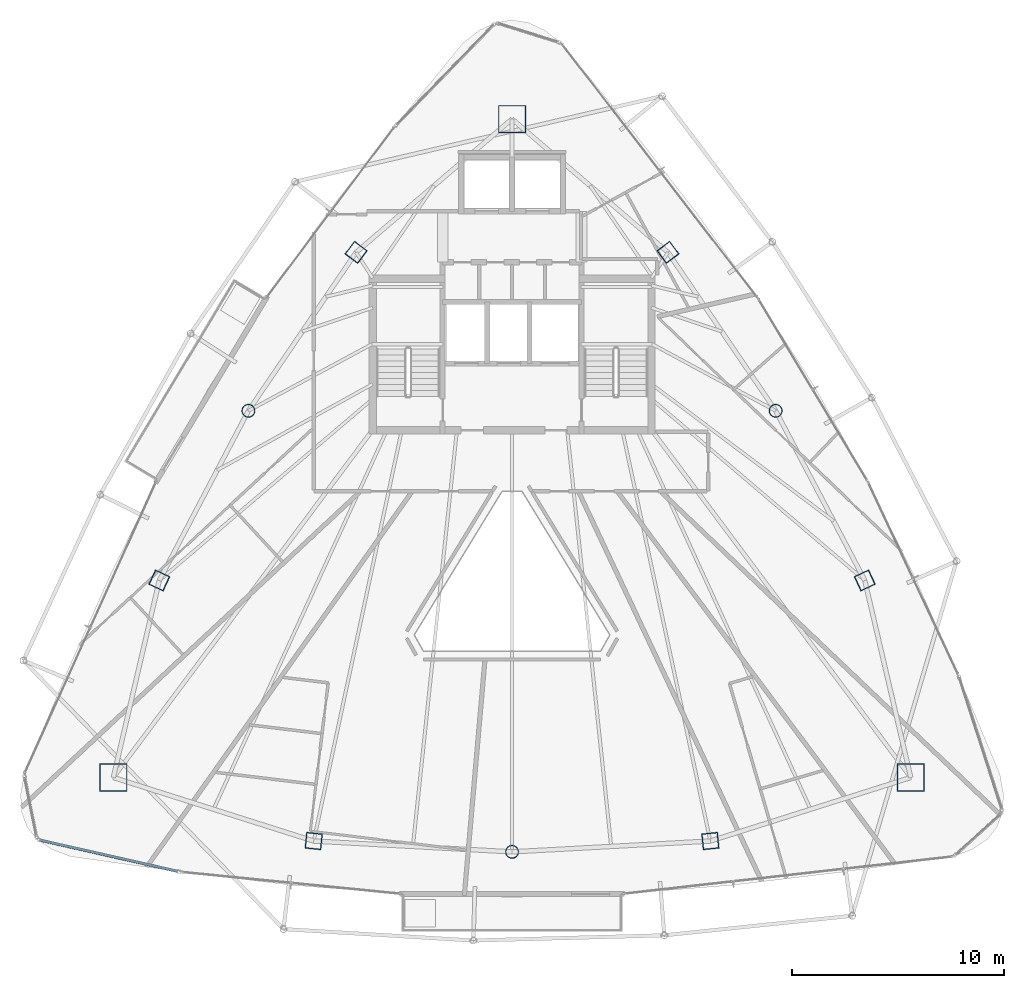
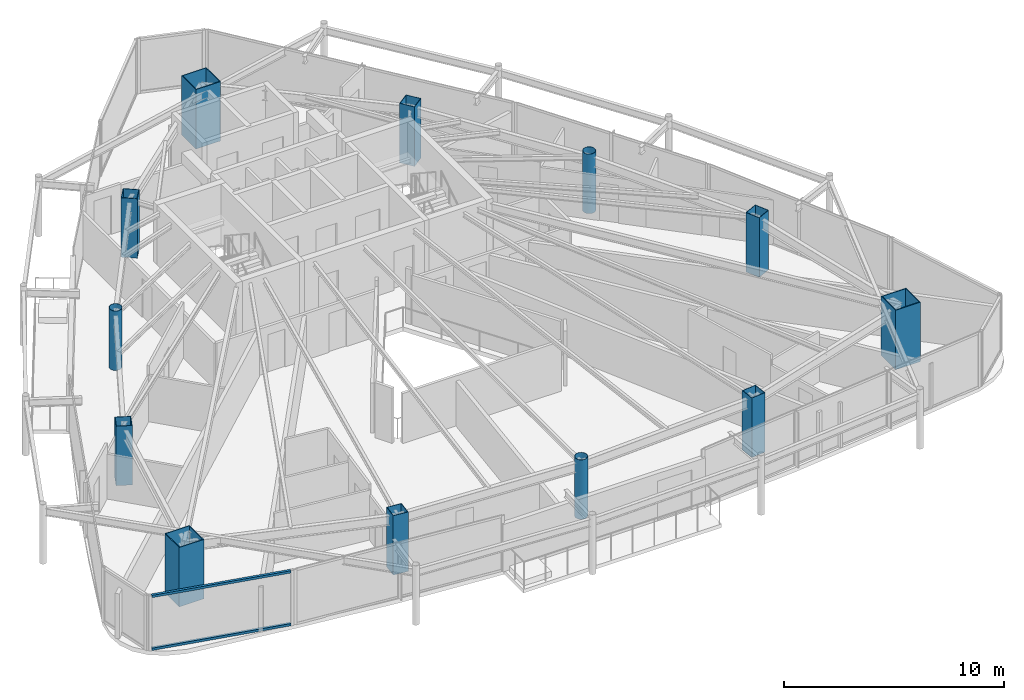
# One storey, part 1 of 32: 12 columns, 2 members, 1 element without a shape of its own.
"""IFC4 building model written with IfcOpenShell, lengths in metres."""

from ifc_helpers import new_model, si_unit, direction, frame, origin, origin_2d, place, context, subcontext, project, spatial, hollow_rectangle, hollow_circle, extrude, material, layer, layer_set, material_profile, profile_set, type_object, element, aggregate, save


model = new_model("IFC4")

# Units and contexts
model_context = context("Model", 3, precision=1e-05, world=origin(), true_north=direction((0.0, 1.0)))
body_context = subcontext(model_context, "Body", "Model", "MODEL_VIEW")
ifc_project = project(units=[si_unit("LENGTHUNIT", "METRE"), si_unit("AREAUNIT", "SQUARE_METRE"), si_unit("VOLUMEUNIT", "CUBIC_METRE"), si_unit("PLANEANGLEUNIT", "RADIAN"), si_unit("MASSUNIT", "GRAM", prefix="KILO")], contexts=[model_context])

# Site, building, storey
site_placement = place(None, origin())
site = spatial("IfcSite", under=ifc_project, at=site_placement, CompositionType="ELEMENT")
building_placement = place(site_placement, origin())
building = spatial("IfcBuilding", under=site, at=building_placement, Name="Orvanel Arch Residences", CompositionType="ELEMENT")
storey_placement = place(building_placement, frame((0.0, 0.0, 216.199951171875)))
storey = spatial("IfcBuildingStorey", under=building, at=storey_placement, Name="L61", CompositionType="ELEMENT", Elevation=216.199951171875)

# Columns
ifc_material_1 = material(Name="Structural steel AS/NZS 1163 C350L0 (Grade 350)", Category="steel")
ifc_material_profile_1 = material_profile(ifc_material_1, hollow_circle(Radius=0.304931640625, WallThickness=0.01611328125, at=origin_2d()), Name="CHS610x16")
ifc_profile_set_1 = profile_set([ifc_material_profile_1], Name="Structural steel AS/NZS 1163 C350L0 (Grade 350)")
column_type_1 = type_object("IfcColumnType", Name="CC-610", PredefinedType="COLUMN", material=ifc_profile_set_1)
for number, where, z_axis, x_axis, name in (
    (1, (20.569091796875, 27.64111328125, 0.0), (0.0, 0.0, 1.0), (1.0, 0.0, 0.0), "L61 High-Rise Tube Column 02"),
    (2, (33.0, 6.843994140625, 0.0), (0.0, 0.0, 1.0), (1.0, 0.0, 0.0), "L61 High-Rise Tube Column 05"),
    (3, (45.430908203125, 27.64111328125, 0.0), (0.0, 0.0, 1.0), (1.0, 0.0, 0.0), "L61 High-Rise Tube Column 08"),
):
    element("IfcColumn", number, at=place(storey_placement, frame(where, z_axis=z_axis, x_axis=x_axis)), inside=storey, type_object=column_type_1, Name=name, PredefinedType="COLUMN", context=body_context, shape_type="SweptSolid", body=[
        extrude(hollow_circle(Radius=0.304931640625, WallThickness=0.01611328125, at=origin_2d()), origin(), (0.0, 0.0, 1.0), 3.300048828125),
    ])
ifc_material_2 = material(Name="Structural steel AS/NZS 3678 Grade 450", Category="steel")
ifc_material_profile_2 = material_profile(ifc_material_2, hollow_rectangle(XDim=1.300048828125, YDim=1.300048828125, WallThickness=0.0400390625, at=origin_2d()), Name="BOX1300x1300x40")
ifc_profile_set_2 = profile_set([ifc_material_profile_2], Name="Structural steel AS/NZS 3678 Grade 450")
column_type_2 = type_object("IfcColumnType", Name="MC-1300", PredefinedType="COLUMN", material=ifc_profile_set_2)
for number, where, z_axis, x_axis, name in (
    (4, (33.0, 41.39794921875, 0.0), (0.0, 0.0, 1.0), (1.0, 0.0, 0.0), "L61 Corner Mega-Column 1"),
    (5, (14.198974609375, 10.35107421875, 0.0), (0.0, 0.0, 1.0), (1.0, 0.0, 0.0), "L61 Corner Mega-Column 2"),
    (6, (51.801025390625, 10.35107421875, 0.0), (0.0, 0.0, 1.0), (1.0, 0.0, 0.0), "L61 Corner Mega-Column 3"),
):
    element("IfcColumn", number, at=place(storey_placement, frame(where, z_axis=z_axis, x_axis=x_axis)), inside=storey, type_object=column_type_2, Name=name, PredefinedType="COLUMN", context=body_context, shape_type="SweptSolid", body=[
        extrude(hollow_rectangle(XDim=1.300048828125, YDim=1.300048828125, WallThickness=0.0400390625, at=origin_2d()), origin(), (0.0, 0.0, 1.0), 3.300048828125),
    ])
ifc_material_3 = material(Name="Structural steel AS/NZS 3678 Grade 350", Category="steel")
ifc_material_profile_3 = material_profile(ifc_material_3, hollow_rectangle(XDim=0.75, YDim=0.75, WallThickness=0.02490234375, at=origin_2d()), Name="BOX750x750x25")
ifc_profile_set_3 = profile_set([ifc_material_profile_3], Name="Structural steel AS/NZS 3678 Grade 350")
column_type_3 = type_object("IfcColumnType", Name="TC-750", PredefinedType="COLUMN", material=ifc_profile_set_3)
for number, where, z_axis, x_axis, name in (
    (7, (25.64794921875, 35.113037109375, 0.0), (0.0, 0.0, 1.0), (0.600420225326, 0.799684658487, 0.0), "L61 High-Rise Tube Column 01"),
    (8, (16.366943359375, 19.64208984375, 0.0), (0.0, 0.0, 1.0), (0.422618261741, 0.906307787037, 0.0), "L61 High-Rise Tube Column 03"),
    (9, (23.64892578125, 7.35498046875, 0.0), (0.0, 0.0, 1.0), (-0.994880708829, 0.101056297183, 0.0), "L61 High-Rise Tube Column 04"),
    (10, (42.35107421875, 7.35498046875, 0.0), (0.0, 0.0, 1.0), (0.994880708829, 0.101056297183, 0.0), "L61 High-Rise Tube Column 06"),
    (11, (49.633056640625, 19.64208984375, 0.0), (0.0, 0.0, 1.0), (-0.422618261741, 0.906307787037, 0.0), "L61 High-Rise Tube Column 07"),
    (12, (40.35205078125, 35.113037109375, 0.0), (0.0, 0.0, 1.0), (-0.600420225326, 0.799684658487, 0.0), "L61 High-Rise Tube Column 09"),
):
    element("IfcColumn", number, at=place(storey_placement, frame(where, z_axis=z_axis, x_axis=x_axis)), inside=storey, type_object=column_type_3, Name=name, PredefinedType="COLUMN", context=body_context, shape_type="SweptSolid", body=[
        extrude(hollow_rectangle(XDim=0.75, YDim=0.75, WallThickness=0.02490234375, at=origin_2d()), origin(), (0.0, 0.0, 1.0), 3.300048828125),
    ])

# Curtain wall, members
ifc_material_4 = material(Name="Bronze-anodised aluminium AA6063-T6", Category="aluminium")
ifc_layer = layer(ifc_material_4, 0.18994140625)
ifc_layer_set = layer_set([ifc_layer], Name="Bronze-anodised aluminium AA6063-T6")
curtain_wall_type = type_object("IfcCurtainWallType", Name="CW5-CRN-SYS", PredefinedType="NOTDEFINED", material=ifc_layer_set)
curtain_wall_placement = place(storey_placement, origin())
curtain_wall = element("IfcCurtainWall", 13, at=curtain_wall_placement, inside=storey, type_object=curtain_wall_type, Name="L61 CW5-CRN-SYS Unitised Curtain Wall", PredefinedType="NOTDEFINED")
ifc_material_profile_4 = material_profile(ifc_material_4, hollow_rectangle(XDim=0.1298828125, YDim=0.1298828125, WallThickness=0.00439453125, at=origin_2d()), Name="ALU130x130x4.5")
ifc_profile_set_4 = profile_set([ifc_material_profile_4], Name="Bronze-anodised aluminium AA6063-T6")
member_type = type_object("IfcMemberType", Name="TRN-130x130", PredefinedType="USERDEFINED", material=ifc_profile_set_4)
member_1_placement = place(storey_placement, frame((10.764404296875, 7.393798828125, 0.06494140625), z_axis=(0.975232423085, -0.22118255122, 0.0), x_axis=(0.22118255122, 0.975232423085, 0.0)))
member_1 = element("IfcMember", 14, at=member_1_placement, type_object=member_type, Name="CW-S5 transom 1.1", ObjectType="TRANSOM", PredefinedType="USERDEFINED", context=body_context, shape_type="SweptSolid", body=[
    extrude(hollow_rectangle(XDim=0.1298828125, YDim=0.1298828125, WallThickness=0.00439453125, at=origin_2d()), origin(), (0.0, 0.0, 1.0), 6.6171875),
])
member_2_placement = place(storey_placement, frame((10.764404296875, 7.393798828125, 2.9951171875), z_axis=(0.975232423085, -0.22118255122, 0.0), x_axis=(0.22118255122, 0.975232423085, 0.0)))
member_2 = element("IfcMember", 15, at=member_2_placement, type_object=member_type, Name="CW-S5 transom 1.2", ObjectType="TRANSOM", PredefinedType="USERDEFINED", context=body_context, shape_type="SweptSolid", body=[
    extrude(hollow_rectangle(XDim=0.1298828125, YDim=0.1298828125, WallThickness=0.00439453125, at=origin_2d()), origin(), (0.0, 0.0, 1.0), 6.6171875),
])
aggregate(curtain_wall, [member_1, member_2])

save(model, "model.ifc")
